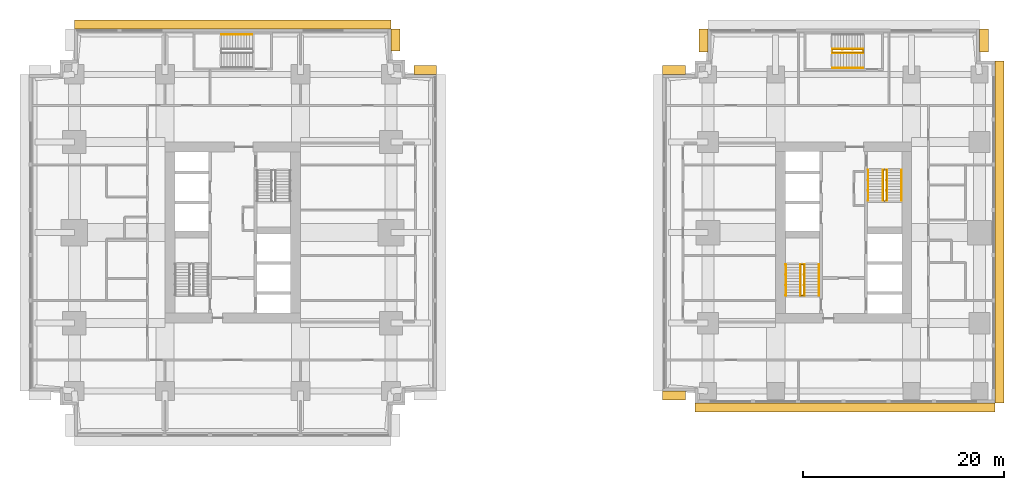
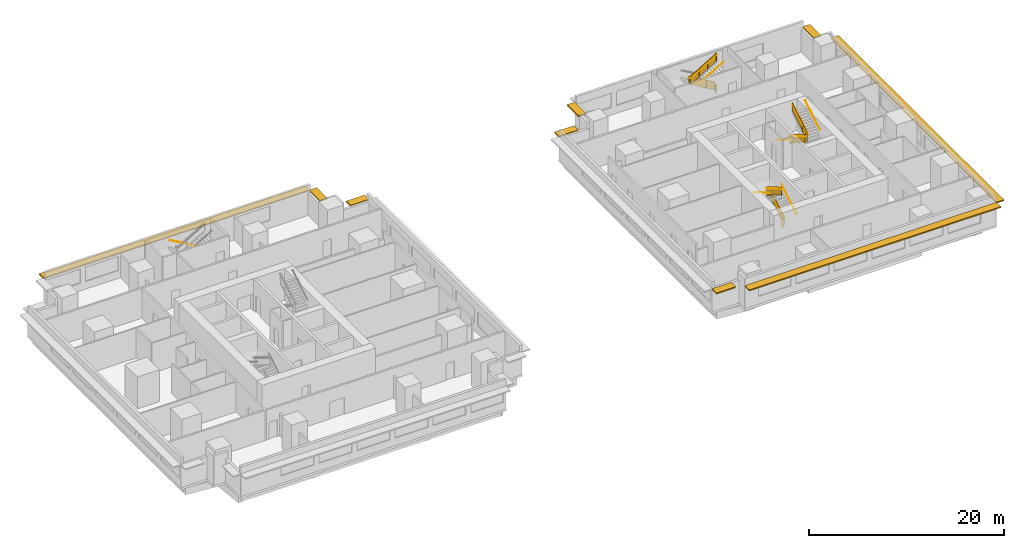
# One storey, part 10 of 11: 15 railings, 9 shading devices.
"""IFC4 building model written with IfcOpenShell, lengths in metres."""

from ifc_helpers import new_model, si_unit, direction, frame, origin, origin_2d, place, context, subcontext, project, spatial, polyline, rectangle, circle, outline, extrude, material, layer, layer_set, type_object, element, save


model = new_model("IFC4")

# Units and contexts
model_context = context("Model", 3, precision=1e-05, world=origin(), true_north=direction((0.0, 1.0)))
body_context = subcontext(model_context, "Body", "Model", "MODEL_VIEW")
ifc_project = project(units=[si_unit("LENGTHUNIT", "METRE"), si_unit("AREAUNIT", "SQUARE_METRE"), si_unit("VOLUMEUNIT", "CUBIC_METRE"), si_unit("PLANEANGLEUNIT", "RADIAN"), si_unit("MASSUNIT", "GRAM", prefix="KILO")], contexts=[model_context])

# Site, building, storey
site_placement = place(None, origin())
site = spatial("IfcSite", under=ifc_project, at=site_placement, CompositionType="ELEMENT")
building_placement = place(site_placement, origin())
building = spatial("IfcBuilding", under=site, at=building_placement, Name="Namib Vertical Campus", CompositionType="ELEMENT")
storey_placement = place(building_placement, frame((0.0, 0.0, 93.0)))
storey = spatial("IfcBuildingStorey", under=building, at=storey_placement, Name="L21", CompositionType="ELEMENT", Elevation=93.0)

# Railings
ifc_material_1 = material(Name="Steel handrail", Category="steel")
railing_type_1 = type_object("IfcRailingType", Name="Handrail 900", PredefinedType="HANDRAIL", material=ifc_material_1)
railing_1_placement = place(storey_placement, frame((78.550048828125, 14.0, 0.166748046875)))
element("IfcRailing", 1, at=railing_1_placement, inside=storey, type_object=railing_type_1, Name="Handrail HR1 B-S1 L21 1", PredefinedType="HANDRAIL", context=body_context, shape_type="SweptSolid", body=[
    extrude(circle(Radius=0.02392578125, at=origin_2d()), frame((0.0, 0.0, 0.8759765625), z_axis=(0.0, 0.859308565015, 0.511457515432), x_axis=(-1.0, 0.0, 0.0)), (0.0, 0.0, 1.0), 3.58447265625),
    extrude(circle(Radius=0.008056640625, at=origin_2d()), frame((0.0, 0.0, 0.8759765625), z_axis=(1.0, 0.0, 0.0), x_axis=(0.0, 0.0, 1.0)), (0.0, 0.0, 1.0), 0.050048828125),
    extrude(circle(Radius=0.008056640625, at=origin_2d()), frame((0.0, 1.026611328125, 1.48681640625), z_axis=(1.0, 0.0, 0.0), x_axis=(0.0, 0.0, 1.0)), (0.0, 0.0, 1.0), 0.050048828125),
    extrude(circle(Radius=0.008056640625, at=origin_2d()), frame((0.0, 2.053466796875, 2.09814453125), z_axis=(1.0, 0.0, 0.0), x_axis=(0.0, 0.0, 1.0)), (0.0, 0.0, 1.0), 0.050048828125),
    extrude(circle(Radius=0.008056640625, at=origin_2d()), frame((0.0, 3.080078125, 2.708984375), z_axis=(1.0, 0.0, 0.0), x_axis=(0.0, 0.0, 1.0)), (0.0, 0.0, 1.0), 0.050048828125),
])
railing_2_placement = place(storey_placement, frame((75.25, 17.080078125, 2.166748046875)))
element("IfcRailing", 2, at=railing_2_placement, inside=storey, type_object=railing_type_1, Name="Handrail HR1 B-S1 L21 2", PredefinedType="HANDRAIL", context=body_context, shape_type="SweptSolid", body=[
    extrude(circle(Radius=0.02392578125, at=origin_2d()), frame((0.0, 0.0, 0.8759765625), z_axis=(0.0, -0.859308565015, 0.511457515432), x_axis=(1.0, 0.0, 0.0)), (0.0, 0.0, 1.0), 3.58447265625),
    extrude(circle(Radius=0.008056640625, at=origin_2d()), frame((0.0, 0.0, 0.8759765625), z_axis=(-1.0, 0.0, 0.0), x_axis=(0.0, 0.0, 1.0)), (0.0, 0.0, 1.0), 0.050048828125),
    extrude(circle(Radius=0.008056640625, at=origin_2d()), frame((0.0, -1.026611328125, 1.48681640625), z_axis=(-1.0, 0.0, 0.0), x_axis=(0.0, 0.0, 1.0)), (0.0, 0.0, 1.0), 0.050048828125),
    extrude(circle(Radius=0.008056640625, at=origin_2d()), frame((0.0, -2.053466796875, 2.09814453125), z_axis=(-1.0, 0.0, 0.0), x_axis=(0.0, 0.0, 1.0)), (0.0, 0.0, 1.0), 0.050048828125),
    extrude(circle(Radius=0.008056640625, at=origin_2d()), frame((0.0, -3.080078125, 2.708984375), z_axis=(-1.0, 0.0, 0.0), x_axis=(0.0, 0.0, 1.0)), (0.0, 0.0, 1.0), 0.050048828125),
])
railing_3_placement = place(storey_placement, frame((77.10009765625, 14.0, 0.166748046875)))
element("IfcRailing", 3, at=railing_3_placement, inside=storey, type_object=railing_type_1, Name="Handrail HR1 B-S1 L21 1 at the well", PredefinedType="HANDRAIL", context=body_context, shape_type="SweptSolid", body=[
    extrude(circle(Radius=0.02392578125, at=origin_2d()), frame((0.0, 0.0, 0.8759765625), z_axis=(0.0, 0.859308565015, 0.511457515432), x_axis=(-1.0, 0.0, 0.0)), (0.0, 0.0, 1.0), 3.58447265625),
    extrude(circle(Radius=0.008056640625, at=origin_2d()), frame((0.0, 0.0, 0.8759765625), z_axis=(-1.0, 0.0, 0.0), x_axis=(0.0, 0.0, 1.0)), (0.0, 0.0, 1.0), 0.0400390625),
    extrude(circle(Radius=0.008056640625, at=origin_2d()), frame((0.0, 1.026611328125, 1.48681640625), z_axis=(-1.0, 0.0, 0.0), x_axis=(0.0, 0.0, 1.0)), (0.0, 0.0, 1.0), 0.0400390625),
    extrude(circle(Radius=0.008056640625, at=origin_2d()), frame((0.0, 2.053466796875, 2.09814453125), z_axis=(-1.0, 0.0, 0.0), x_axis=(0.0, 0.0, 1.0)), (0.0, 0.0, 1.0), 0.0400390625),
    extrude(circle(Radius=0.008056640625, at=origin_2d()), frame((0.0, 3.080078125, 2.708984375), z_axis=(-1.0, 0.0, 0.0), x_axis=(0.0, 0.0, 1.0)), (0.0, 0.0, 1.0), 0.0400390625),
])
railing_4_placement = place(storey_placement, frame((76.699951171875, 17.080078125, 2.166748046875)))
element("IfcRailing", 4, at=railing_4_placement, inside=storey, type_object=railing_type_1, Name="Handrail HR1 B-S1 L21 2 at the well", PredefinedType="HANDRAIL", context=body_context, shape_type="SweptSolid", body=[
    extrude(circle(Radius=0.02392578125, at=origin_2d()), frame((0.0, 0.0, 0.8759765625), z_axis=(0.0, -0.859308565015, 0.511457515432), x_axis=(1.0, 0.0, 0.0)), (0.0, 0.0, 1.0), 3.58447265625),
    extrude(circle(Radius=0.008056640625, at=origin_2d()), frame((0.0, 0.0, 0.8759765625), z_axis=(1.0, 0.0, 0.0), x_axis=(0.0, 0.0, 1.0)), (0.0, 0.0, 1.0), 0.0400390625),
    extrude(circle(Radius=0.008056640625, at=origin_2d()), frame((0.0, -1.026611328125, 1.48681640625), z_axis=(1.0, 0.0, 0.0), x_axis=(0.0, 0.0, 1.0)), (0.0, 0.0, 1.0), 0.0400390625),
    extrude(circle(Radius=0.008056640625, at=origin_2d()), frame((0.0, -2.053466796875, 2.09814453125), z_axis=(1.0, 0.0, 0.0), x_axis=(0.0, 0.0, 1.0)), (0.0, 0.0, 1.0), 0.0400390625),
    extrude(circle(Radius=0.008056640625, at=origin_2d()), frame((0.0, -3.080078125, 2.708984375), z_axis=(1.0, 0.0, 0.0), x_axis=(0.0, 0.0, 1.0)), (0.0, 0.0, 1.0), 0.0400390625),
])
railing_5_placement = place(storey_placement, frame((83.449951171875, 26.5, 0.166748046875)))
element("IfcRailing", 5, at=railing_5_placement, inside=storey, type_object=railing_type_1, Name="Handrail HR1 B-S2 L21 1", PredefinedType="HANDRAIL", context=body_context, shape_type="SweptSolid", body=[
    extrude(circle(Radius=0.02392578125, at=origin_2d()), frame((0.0, 0.0, 0.8759765625), z_axis=(0.0, -0.859308565015, 0.511457515432), x_axis=(1.0, 0.0, 0.0)), (0.0, 0.0, 1.0), 3.58447265625),
    extrude(circle(Radius=0.008056640625, at=origin_2d()), frame((0.0, 0.0, 0.8759765625), z_axis=(-1.0, 0.0, 0.0), x_axis=(0.0, 0.0, 1.0)), (0.0, 0.0, 1.0), 0.050048828125),
    extrude(circle(Radius=0.008056640625, at=origin_2d()), frame((0.0, -1.026611328125, 1.48681640625), z_axis=(-1.0, 0.0, 0.0), x_axis=(0.0, 0.0, 1.0)), (0.0, 0.0, 1.0), 0.050048828125),
    extrude(circle(Radius=0.008056640625, at=origin_2d()), frame((0.0, -2.053466796875, 2.09814453125), z_axis=(-1.0, 0.0, 0.0), x_axis=(0.0, 0.0, 1.0)), (0.0, 0.0, 1.0), 0.050048828125),
    extrude(circle(Radius=0.008056640625, at=origin_2d()), frame((0.0, -3.080078125, 2.708984375), z_axis=(-1.0, 0.0, 0.0), x_axis=(0.0, 0.0, 1.0)), (0.0, 0.0, 1.0), 0.050048828125),
])
railing_6_placement = place(storey_placement, frame((86.75, 23.419921875, 2.166748046875)))
element("IfcRailing", 6, at=railing_6_placement, inside=storey, type_object=railing_type_1, Name="Handrail HR1 B-S2 L21 2", PredefinedType="HANDRAIL", context=body_context, shape_type="SweptSolid", body=[
    extrude(circle(Radius=0.02392578125, at=origin_2d()), frame((0.0, 0.0, 0.8759765625), z_axis=(0.0, 0.859308565015, 0.511457515432), x_axis=(-1.0, 0.0, 0.0)), (0.0, 0.0, 1.0), 3.58447265625),
    extrude(circle(Radius=0.008056640625, at=origin_2d()), frame((0.0, 0.0, 0.8759765625), z_axis=(1.0, 0.0, 0.0), x_axis=(0.0, 0.0, 1.0)), (0.0, 0.0, 1.0), 0.050048828125),
    extrude(circle(Radius=0.008056640625, at=origin_2d()), frame((0.0, 1.026611328125, 1.48681640625), z_axis=(1.0, 0.0, 0.0), x_axis=(0.0, 0.0, 1.0)), (0.0, 0.0, 1.0), 0.050048828125),
    extrude(circle(Radius=0.008056640625, at=origin_2d()), frame((0.0, 2.053466796875, 2.09814453125), z_axis=(1.0, 0.0, 0.0), x_axis=(0.0, 0.0, 1.0)), (0.0, 0.0, 1.0), 0.050048828125),
    extrude(circle(Radius=0.008056640625, at=origin_2d()), frame((0.0, 3.080078125, 2.708984375), z_axis=(1.0, 0.0, 0.0), x_axis=(0.0, 0.0, 1.0)), (0.0, 0.0, 1.0), 0.050048828125),
])
railing_7_placement = place(storey_placement, frame((84.89990234375, 26.5, 0.166748046875)))
element("IfcRailing", 7, at=railing_7_placement, inside=storey, type_object=railing_type_1, Name="Handrail HR1 B-S2 L21 1 at the well", PredefinedType="HANDRAIL", context=body_context, shape_type="SweptSolid", body=[
    extrude(circle(Radius=0.02392578125, at=origin_2d()), frame((0.0, 0.0, 0.8759765625), z_axis=(0.0, -0.859308565015, 0.511457515432), x_axis=(1.0, 0.0, 0.0)), (0.0, 0.0, 1.0), 3.58447265625),
    extrude(circle(Radius=0.008056640625, at=origin_2d()), frame((0.0, 0.0, 0.8759765625), z_axis=(1.0, 0.0, 0.0), x_axis=(0.0, 0.0, 1.0)), (0.0, 0.0, 1.0), 0.0400390625),
    extrude(circle(Radius=0.008056640625, at=origin_2d()), frame((0.0, -1.026611328125, 1.48681640625), z_axis=(1.0, 0.0, 0.0), x_axis=(0.0, 0.0, 1.0)), (0.0, 0.0, 1.0), 0.0400390625),
    extrude(circle(Radius=0.008056640625, at=origin_2d()), frame((0.0, -2.053466796875, 2.09814453125), z_axis=(1.0, 0.0, 0.0), x_axis=(0.0, 0.0, 1.0)), (0.0, 0.0, 1.0), 0.0400390625),
    extrude(circle(Radius=0.008056640625, at=origin_2d()), frame((0.0, -3.080078125, 2.708984375), z_axis=(1.0, 0.0, 0.0), x_axis=(0.0, 0.0, 1.0)), (0.0, 0.0, 1.0), 0.0400390625),
])
railing_8_placement = place(storey_placement, frame((85.300048828125, 23.419921875, 2.166748046875)))
element("IfcRailing", 8, at=railing_8_placement, inside=storey, type_object=railing_type_1, Name="Handrail HR1 B-S2 L21 2 at the well", PredefinedType="HANDRAIL", context=body_context, shape_type="SweptSolid", body=[
    extrude(circle(Radius=0.02392578125, at=origin_2d()), frame((0.0, 0.0, 0.8759765625), z_axis=(0.0, 0.859308565015, 0.511457515432), x_axis=(-1.0, 0.0, 0.0)), (0.0, 0.0, 1.0), 3.58447265625),
    extrude(circle(Radius=0.008056640625, at=origin_2d()), frame((0.0, 0.0, 0.8759765625), z_axis=(-1.0, 0.0, 0.0), x_axis=(0.0, 0.0, 1.0)), (0.0, 0.0, 1.0), 0.0400390625),
    extrude(circle(Radius=0.008056640625, at=origin_2d()), frame((0.0, 1.026611328125, 1.48681640625), z_axis=(-1.0, 0.0, 0.0), x_axis=(0.0, 0.0, 1.0)), (0.0, 0.0, 1.0), 0.0400390625),
    extrude(circle(Radius=0.008056640625, at=origin_2d()), frame((0.0, 2.053466796875, 2.09814453125), z_axis=(-1.0, 0.0, 0.0), x_axis=(0.0, 0.0, 1.0)), (0.0, 0.0, 1.0), 0.0400390625),
    extrude(circle(Radius=0.008056640625, at=origin_2d()), frame((0.0, 3.080078125, 2.708984375), z_axis=(-1.0, 0.0, 0.0), x_axis=(0.0, 0.0, 1.0)), (0.0, 0.0, 1.0), 0.0400390625),
])
railing_9_placement = place(storey_placement, frame((22.199951171875, 39.949951171875, 0.166748046875)))
element("IfcRailing", 9, at=railing_9_placement, inside=storey, type_object=railing_type_1, Name="Handrail HR1 A-S3 L21 1", PredefinedType="HANDRAIL", context=body_context, shape_type="SweptSolid", body=[
    extrude(circle(Radius=0.02392578125, at=origin_2d()), frame((0.0, 0.0, 0.8759765625), z_axis=(-0.859290745958, 0.0, 0.51148745235), x_axis=(0.0, -1.0, 0.0)), (0.0, 0.0, 1.0), 3.584228515625),
    extrude(circle(Radius=0.008056640625, at=origin_2d()), frame((0.0, 0.0, 0.8759765625), z_axis=(0.0, 1.0, 0.0), x_axis=(0.0, 0.0, 1.0)), (0.0, 0.0, 1.0), 0.050048828125),
    extrude(circle(Radius=0.008056640625, at=origin_2d()), frame((-1.026611328125, 0.0, 1.48681640625), z_axis=(0.0, 1.0, 0.0), x_axis=(0.0, 0.0, 1.0)), (0.0, 0.0, 1.0), 0.050048828125),
    extrude(circle(Radius=0.008056640625, at=origin_2d()), frame((-2.05322265625, 0.0, 2.09814453125), z_axis=(0.0, 1.0, 0.0), x_axis=(0.0, 0.0, 1.0)), (0.0, 0.0, 1.0), 0.050048828125),
    extrude(circle(Radius=0.008056640625, at=origin_2d()), frame((-3.079833984375, 0.0, 2.708984375), z_axis=(0.0, 1.0, 0.0), x_axis=(0.0, 0.0, 1.0)), (0.0, 0.0, 1.0), 0.050048828125),
])
railing_10_placement = place(storey_placement, frame((79.8701171875, 36.64990234375, 2.166748046875)))
element("IfcRailing", 10, at=railing_10_placement, inside=storey, type_object=railing_type_1, Name="Handrail HR1 B-S3 L21 2", PredefinedType="HANDRAIL", context=body_context, shape_type="SweptSolid", body=[
    extrude(circle(Radius=0.02392578125, at=origin_2d()), frame((0.0, 0.0, 0.8759765625), z_axis=(0.859290745958, 0.0, 0.51148745235), x_axis=(0.0, 1.0, 0.0)), (0.0, 0.0, 1.0), 3.584228515625),
    extrude(circle(Radius=0.008056640625, at=origin_2d()), frame((0.0, 0.0, 0.8759765625), z_axis=(0.0, -1.0, 0.0), x_axis=(0.0, 0.0, 1.0)), (0.0, 0.0, 1.0), 0.050048828125),
    extrude(circle(Radius=0.008056640625, at=origin_2d()), frame((1.026611328125, 0.0, 1.48681640625), z_axis=(0.0, -1.0, 0.0), x_axis=(0.0, 0.0, 1.0)), (0.0, 0.0, 1.0), 0.050048828125),
    extrude(circle(Radius=0.008056640625, at=origin_2d()), frame((2.05322265625, 0.0, 2.09814453125), z_axis=(0.0, -1.0, 0.0), x_axis=(0.0, 0.0, 1.0)), (0.0, 0.0, 1.0), 0.050048828125),
    extrude(circle(Radius=0.008056640625, at=origin_2d()), frame((3.079833984375, 0.0, 2.708984375), z_axis=(0.0, -1.0, 0.0), x_axis=(0.0, 0.0, 1.0)), (0.0, 0.0, 1.0), 0.050048828125),
])
railing_11_placement = place(storey_placement, frame((82.949951171875, 38.5, 0.166748046875)))
element("IfcRailing", 11, at=railing_11_placement, inside=storey, type_object=railing_type_1, Name="Handrail HR1 B-S3 L21 1 at the well", PredefinedType="HANDRAIL", context=body_context, shape_type="SweptSolid", body=[
    extrude(circle(Radius=0.02392578125, at=origin_2d()), frame((0.0, 0.0, 0.8759765625), z_axis=(-0.859290745958, 0.0, 0.51148745235), x_axis=(0.0, -1.0, 0.0)), (0.0, 0.0, 1.0), 3.584228515625),
    extrude(circle(Radius=0.008056640625, at=origin_2d()), frame((0.0, 0.0, 0.8759765625), z_axis=(0.0, -1.0, 0.0), x_axis=(0.0, 0.0, 1.0)), (0.0, 0.0, 1.0), 0.0400390625),
    extrude(circle(Radius=0.008056640625, at=origin_2d()), frame((-1.026611328125, 0.0, 1.48681640625), z_axis=(0.0, -1.0, 0.0), x_axis=(0.0, 0.0, 1.0)), (0.0, 0.0, 1.0), 0.0400390625),
    extrude(circle(Radius=0.008056640625, at=origin_2d()), frame((-2.05322265625, 0.0, 2.09814453125), z_axis=(0.0, -1.0, 0.0), x_axis=(0.0, 0.0, 1.0)), (0.0, 0.0, 1.0), 0.0400390625),
    extrude(circle(Radius=0.008056640625, at=origin_2d()), frame((-3.079833984375, 0.0, 2.708984375), z_axis=(0.0, -1.0, 0.0), x_axis=(0.0, 0.0, 1.0)), (0.0, 0.0, 1.0), 0.0400390625),
])
railing_12_placement = place(storey_placement, frame((79.8701171875, 38.10009765625, 2.166748046875)))
element("IfcRailing", 12, at=railing_12_placement, inside=storey, type_object=railing_type_1, Name="Handrail HR1 B-S3 L21 2 at the well", PredefinedType="HANDRAIL", context=body_context, shape_type="SweptSolid", body=[
    extrude(circle(Radius=0.02392578125, at=origin_2d()), frame((0.0, 0.0, 0.8759765625), z_axis=(0.859290745958, 0.0, 0.51148745235), x_axis=(0.0, 1.0, 0.0)), (0.0, 0.0, 1.0), 3.584228515625),
    extrude(circle(Radius=0.008056640625, at=origin_2d()), frame((0.0, 0.0, 0.8759765625), z_axis=(0.0, 1.0, 0.0), x_axis=(0.0, 0.0, 1.0)), (0.0, 0.0, 1.0), 0.0400390625),
    extrude(circle(Radius=0.008056640625, at=origin_2d()), frame((1.026611328125, 0.0, 1.48681640625), z_axis=(0.0, 1.0, 0.0), x_axis=(0.0, 0.0, 1.0)), (0.0, 0.0, 1.0), 0.0400390625),
    extrude(circle(Radius=0.008056640625, at=origin_2d()), frame((2.05322265625, 0.0, 2.09814453125), z_axis=(0.0, 1.0, 0.0), x_axis=(0.0, 0.0, 1.0)), (0.0, 0.0, 1.0), 0.0400390625),
    extrude(circle(Radius=0.008056640625, at=origin_2d()), frame((3.079833984375, 0.0, 2.708984375), z_axis=(0.0, 1.0, 0.0), x_axis=(0.0, 0.0, 1.0)), (0.0, 0.0, 1.0), 0.0400390625),
])
ifc_material_2 = material(Name="Steel balustrade", Category="steel")
railing_type_2 = type_object("IfcRailingType", Name="Stair guard 1100", PredefinedType="GUARDRAIL", material=ifc_material_2)
railing_13_placement = place(storey_placement, frame((76.75, 14.0, 0.0)))
element("IfcRailing", 13, at=railing_13_placement, inside=storey, type_object=railing_type_2, Name="Stair guard GR1 B-S1 L21", PredefinedType="GUARDRAIL", context=body_context, shape_type="SweptSolid", body=[
    extrude(circle(Radius=0.02392578125, at=origin_2d()), frame((0.0, 0.0, 1.076171875), z_axis=(1.0, 0.0, 0.0), x_axis=(0.0, 1.0, 0.0)), (0.0, 0.0, 1.0), 0.300048828125),
    extrude(outline(polyline([(0.02099609375, 0.050048828125), (0.279052734375, 0.050048828125), (0.279052734375, 1.052001953125), (0.02099609375, 1.052001953125), (0.02099609375, 0.050048828125)])), frame((0.0, 0.010009765625, 0.0), z_axis=(0.0, -1.0, 0.0), x_axis=(1.0, 0.0, 0.0)), (0.0, 0.0, 1.0), 0.02001953125),
    extrude(circle(Radius=0.02392578125, at=origin_2d()), frame((0.300048828125, 0.0, 1.076171875), z_axis=(0.0, 0.0, 1.0), x_axis=(1.0, 0.0, 0.0)), (0.0, 0.0, 1.0), 0.166748046875),
    extrude(circle(Radius=0.02392578125, at=origin_2d()), frame((0.300048828125, 0.0, 1.24267578125), z_axis=(0.0, 0.859308565015, 0.511457515432), x_axis=(-1.0, 0.0, 0.0)), (0.0, 0.0, 1.0), 3.58447265625),
    extrude(outline(polyline([(0.02099609375, 0.0625), (3.05908203125, 1.870849609375), (3.05908203125, 2.872802734375), (0.02099609375, 1.064453125), (0.02099609375, 0.0625)])), frame((0.2900390625, 0.0, 0.166748046875), z_axis=(1.0, 0.0, 0.0), x_axis=(0.0, 1.0, 0.0)), (0.0, 0.0, 1.0), 0.02001953125),
    extrude(circle(Radius=0.02392578125, at=origin_2d()), frame((0.300048828125, 3.080078125, 3.076171875), z_axis=(-1.0, 0.0, 0.0), x_axis=(0.0, -1.0, 0.0)), (0.0, 0.0, 1.0), 0.300048828125),
    extrude(outline(polyline([(0.02099609375, 0.050048828125), (0.279052734375, 0.050048828125), (0.279052734375, 1.052001953125), (0.02099609375, 1.052001953125), (0.02099609375, 0.050048828125)])), frame((0.300048828125, 3.070068359375, 2.0), z_axis=(0.0, 1.0, 0.0), x_axis=(-1.0, 0.0, 0.0)), (0.0, 0.0, 1.0), 0.02001953125),
    extrude(circle(Radius=0.02392578125, at=origin_2d()), frame((0.0, 3.080078125, 3.076171875), z_axis=(0.0, 0.0, 1.0), x_axis=(1.0, 0.0, 0.0)), (0.0, 0.0, 1.0), 0.166748046875),
    extrude(circle(Radius=0.02392578125, at=origin_2d()), frame((0.0, 3.080078125, 3.24267578125), z_axis=(0.0, -0.859308565015, 0.511457515432), x_axis=(1.0, 0.0, 0.0)), (0.0, 0.0, 1.0), 3.58447265625),
    extrude(outline(polyline([(0.02099609375, 0.0625), (3.05908203125, 1.870849609375), (3.05908203125, 2.872802734375), (0.02099609375, 1.064453125), (0.02099609375, 0.0625)])), frame((0.010009765625, 3.080078125, 2.166748046875), z_axis=(-1.0, 0.0, 0.0), x_axis=(0.0, -1.0, 0.0)), (0.0, 0.0, 1.0), 0.02001953125),
    extrude(circle(Radius=0.02392578125, at=origin_2d()), frame((0.0, 0.0, 5.076171875), z_axis=(0.0, -1.0, 0.0), x_axis=(1.0, 0.0, 0.0)), (0.0, 0.0, 1.0), 0.050048828125),
    extrude(outline(polyline([(0.02099609375, 0.050048828125), (0.029052734375, 0.050048828125), (0.029052734375, 1.052001953125), (0.02099609375, 1.052001953125), (0.02099609375, 0.050048828125)])), frame((0.010009765625, 0.0, 4.0), z_axis=(-1.0, 0.0, 0.0), x_axis=(0.0, -1.0, 0.0)), (0.0, 0.0, 1.0), 0.02001953125),
    extrude(circle(Radius=0.02099609375, at=origin_2d()), origin(), (0.0, 0.0, 1.0), 1.052001953125),
    extrude(circle(Radius=0.02099609375, at=origin_2d()), frame((0.300048828125, 0.0, 0.166748046875)), (0.0, 0.0, 1.0), 1.052001953125),
    extrude(circle(Radius=0.02099609375, at=origin_2d()), frame((0.300048828125, 1.026611328125, 0.666748046875)), (0.0, 0.0, 1.0), 1.1630859375),
    extrude(circle(Radius=0.02099609375, at=origin_2d()), frame((0.300048828125, 2.053466796875, 1.33349609375)), (0.0, 0.0, 1.0), 1.107421875),
    extrude(circle(Radius=0.02099609375, at=origin_2d()), frame((0.300048828125, 3.080078125, 2.0)), (0.0, 0.0, 1.0), 1.052001953125),
    extrude(circle(Radius=0.02099609375, at=origin_2d()), frame((0.0, 3.080078125, 2.166748046875)), (0.0, 0.0, 1.0), 1.052001953125),
    extrude(circle(Radius=0.02099609375, at=origin_2d()), frame((0.0, 2.053466796875, 2.666748046875)), (0.0, 0.0, 1.0), 1.1630859375),
    extrude(circle(Radius=0.02099609375, at=origin_2d()), frame((0.0, 1.026611328125, 3.33349609375)), (0.0, 0.0, 1.0), 1.107421875),
    extrude(circle(Radius=0.02099609375, at=origin_2d()), frame((0.0, 0.0, 4.0)), (0.0, 0.0, 1.0), 1.052001953125),
    extrude(circle(Radius=0.02099609375, at=origin_2d()), frame((0.0, -0.050048828125, 4.0)), (0.0, 0.0, 1.0), 1.052001953125),
])
railing_14_placement = place(storey_placement, frame((85.25, 26.5, 0.0)))
element("IfcRailing", 14, at=railing_14_placement, inside=storey, type_object=railing_type_2, Name="Stair guard GR1 B-S2 L21", PredefinedType="GUARDRAIL", context=body_context, shape_type="SweptSolid", body=[
    extrude(circle(Radius=0.02392578125, at=origin_2d()), frame((0.0, 0.0, 1.076171875), z_axis=(-1.0, 0.0, 0.0), x_axis=(0.0, -1.0, 0.0)), (0.0, 0.0, 1.0), 0.300048828125),
    extrude(outline(polyline([(0.02099609375, 0.050048828125), (0.279052734375, 0.050048828125), (0.279052734375, 1.052001953125), (0.02099609375, 1.052001953125), (0.02099609375, 0.050048828125)])), frame((0.0, -0.010009765625, 0.0), z_axis=(0.0, 1.0, 0.0), x_axis=(-1.0, 0.0, 0.0)), (0.0, 0.0, 1.0), 0.02001953125),
    extrude(circle(Radius=0.02392578125, at=origin_2d()), frame((-0.300048828125, 0.0, 1.076171875), z_axis=(0.0, 0.0, 1.0), x_axis=(1.0, 0.0, 0.0)), (0.0, 0.0, 1.0), 0.166748046875),
    extrude(circle(Radius=0.02392578125, at=origin_2d()), frame((-0.300048828125, 0.0, 1.24267578125), z_axis=(0.0, -0.859308565015, 0.511457515432), x_axis=(1.0, 0.0, 0.0)), (0.0, 0.0, 1.0), 3.58447265625),
    extrude(outline(polyline([(0.02099609375, 0.0625), (3.05908203125, 1.870849609375), (3.05908203125, 2.872802734375), (0.02099609375, 1.064453125), (0.02099609375, 0.0625)])), frame((-0.2900390625, 0.0, 0.166748046875), z_axis=(-1.0, 0.0, 0.0), x_axis=(0.0, -1.0, 0.0)), (0.0, 0.0, 1.0), 0.02001953125),
    extrude(circle(Radius=0.02392578125, at=origin_2d()), frame((-0.300048828125, -3.080078125, 3.076171875), z_axis=(1.0, 0.0, 0.0), x_axis=(0.0, 1.0, 0.0)), (0.0, 0.0, 1.0), 0.300048828125),
    extrude(outline(polyline([(0.02099609375, 0.050048828125), (0.279052734375, 0.050048828125), (0.279052734375, 1.052001953125), (0.02099609375, 1.052001953125), (0.02099609375, 0.050048828125)])), frame((-0.300048828125, -3.070068359375, 2.0), z_axis=(0.0, -1.0, 0.0), x_axis=(1.0, 0.0, 0.0)), (0.0, 0.0, 1.0), 0.02001953125),
    extrude(circle(Radius=0.02392578125, at=origin_2d()), frame((0.0, -3.080078125, 3.076171875), z_axis=(0.0, 0.0, 1.0), x_axis=(1.0, 0.0, 0.0)), (0.0, 0.0, 1.0), 0.166748046875),
    extrude(circle(Radius=0.02392578125, at=origin_2d()), frame((0.0, -3.080078125, 3.24267578125), z_axis=(0.0, 0.859308565015, 0.511457515432), x_axis=(-1.0, 0.0, 0.0)), (0.0, 0.0, 1.0), 3.58447265625),
    extrude(outline(polyline([(0.02099609375, 0.0625), (3.05908203125, 1.870849609375), (3.05908203125, 2.872802734375), (0.02099609375, 1.064453125), (0.02099609375, 0.0625)])), frame((-0.010009765625, -3.080078125, 2.166748046875), z_axis=(1.0, 0.0, 0.0), x_axis=(0.0, 1.0, 0.0)), (0.0, 0.0, 1.0), 0.02001953125),
    extrude(circle(Radius=0.02392578125, at=origin_2d()), frame((0.0, 0.0, 5.076171875), z_axis=(0.0, 1.0, 0.0), x_axis=(-1.0, 0.0, 0.0)), (0.0, 0.0, 1.0), 0.050048828125),
    extrude(outline(polyline([(0.02099609375, 0.050048828125), (0.029052734375, 0.050048828125), (0.029052734375, 1.052001953125), (0.02099609375, 1.052001953125), (0.02099609375, 0.050048828125)])), frame((-0.010009765625, 0.0, 4.0), z_axis=(1.0, 0.0, 0.0), x_axis=(0.0, 1.0, 0.0)), (0.0, 0.0, 1.0), 0.02001953125),
    extrude(circle(Radius=0.02099609375, at=origin_2d()), origin(), (0.0, 0.0, 1.0), 1.052001953125),
    extrude(circle(Radius=0.02099609375, at=origin_2d()), frame((-0.300048828125, 0.0, 0.166748046875)), (0.0, 0.0, 1.0), 1.052001953125),
    extrude(circle(Radius=0.02099609375, at=origin_2d()), frame((-0.300048828125, -1.026611328125, 0.666748046875)), (0.0, 0.0, 1.0), 1.1630859375),
    extrude(circle(Radius=0.02099609375, at=origin_2d()), frame((-0.300048828125, -2.053466796875, 1.33349609375)), (0.0, 0.0, 1.0), 1.107421875),
    extrude(circle(Radius=0.02099609375, at=origin_2d()), frame((-0.300048828125, -3.080078125, 2.0)), (0.0, 0.0, 1.0), 1.052001953125),
    extrude(circle(Radius=0.02099609375, at=origin_2d()), frame((0.0, -3.080078125, 2.166748046875)), (0.0, 0.0, 1.0), 1.052001953125),
    extrude(circle(Radius=0.02099609375, at=origin_2d()), frame((0.0, -2.053466796875, 2.666748046875)), (0.0, 0.0, 1.0), 1.1630859375),
    extrude(circle(Radius=0.02099609375, at=origin_2d()), frame((0.0, -1.026611328125, 3.33349609375)), (0.0, 0.0, 1.0), 1.107421875),
    extrude(circle(Radius=0.02099609375, at=origin_2d()), frame((0.0, 0.0, 4.0)), (0.0, 0.0, 1.0), 1.052001953125),
    extrude(circle(Radius=0.02099609375, at=origin_2d()), frame((0.0, 0.050048828125, 4.0)), (0.0, 0.0, 1.0), 1.052001953125),
])
railing_15_placement = place(storey_placement, frame((82.949951171875, 38.14990234375, 0.0)))
element("IfcRailing", 15, at=railing_15_placement, inside=storey, type_object=railing_type_2, Name="Stair guard GR1 B-S3 L21", PredefinedType="GUARDRAIL", context=body_context, shape_type="SweptSolid", body=[
    extrude(circle(Radius=0.02392578125, at=origin_2d()), frame((0.0, 0.0, 1.076171875), z_axis=(0.0, 1.0, 0.0), x_axis=(-1.0, 0.0, 0.0)), (0.0, 0.0, 1.0), 0.300048828125),
    extrude(outline(polyline([(0.02099609375, 0.050048828125), (0.279052734375, 0.050048828125), (0.279052734375, 1.052001953125), (0.02099609375, 1.052001953125), (0.02099609375, 0.050048828125)])), frame((-0.010009765625, 0.0, 0.0), z_axis=(1.0, 0.0, 0.0), x_axis=(0.0, 1.0, 0.0)), (0.0, 0.0, 1.0), 0.02001953125),
    extrude(circle(Radius=0.02392578125, at=origin_2d()), frame((0.0, 0.300048828125, 1.076171875), z_axis=(0.0, 0.0, 1.0), x_axis=(1.0, 0.0, 0.0)), (0.0, 0.0, 1.0), 0.166748046875),
    extrude(circle(Radius=0.02392578125, at=origin_2d()), frame((0.0, 0.300048828125, 1.24267578125), z_axis=(-0.859290745958, 0.0, 0.51148745235), x_axis=(0.0, -1.0, 0.0)), (0.0, 0.0, 1.0), 3.584228515625),
    extrude(outline(polyline([(0.02099609375, 0.0625), (3.058837890625, 1.870849609375), (3.058837890625, 2.872802734375), (0.02099609375, 1.064453125), (0.02099609375, 0.0625)])), frame((0.0, 0.2900390625, 0.166748046875), z_axis=(0.0, 1.0, 0.0), x_axis=(-1.0, 0.0, 0.0)), (0.0, 0.0, 1.0), 0.02001953125),
    extrude(circle(Radius=0.02392578125, at=origin_2d()), frame((-3.079833984375, 0.300048828125, 3.076171875), z_axis=(0.0, -1.0, 0.0), x_axis=(1.0, 0.0, 0.0)), (0.0, 0.0, 1.0), 0.300048828125),
    extrude(outline(polyline([(0.02099609375, 0.050048828125), (0.279052734375, 0.050048828125), (0.279052734375, 1.052001953125), (0.02099609375, 1.052001953125), (0.02099609375, 0.050048828125)])), frame((-3.06982421875, 0.300048828125, 2.0), z_axis=(-1.0, 0.0, 0.0), x_axis=(0.0, -1.0, 0.0)), (0.0, 0.0, 1.0), 0.02001953125),
    extrude(circle(Radius=0.02392578125, at=origin_2d()), frame((-3.079833984375, 0.0, 3.076171875), z_axis=(0.0, 0.0, 1.0), x_axis=(1.0, 0.0, 0.0)), (0.0, 0.0, 1.0), 0.166748046875),
    extrude(circle(Radius=0.02392578125, at=origin_2d()), frame((-3.079833984375, 0.0, 3.24267578125), z_axis=(0.859290745958, 0.0, 0.51148745235), x_axis=(0.0, 1.0, 0.0)), (0.0, 0.0, 1.0), 3.584228515625),
    extrude(outline(polyline([(0.02099609375, 0.0625), (3.058837890625, 1.870849609375), (3.058837890625, 2.872802734375), (0.02099609375, 1.064453125), (0.02099609375, 0.0625)])), frame((-3.079833984375, 0.010009765625, 2.166748046875), z_axis=(0.0, -1.0, 0.0), x_axis=(1.0, 0.0, 0.0)), (0.0, 0.0, 1.0), 0.02001953125),
    extrude(circle(Radius=0.02392578125, at=origin_2d()), frame((0.0, 0.0, 5.076171875), z_axis=(1.0, 0.0, 0.0), x_axis=(0.0, 1.0, 0.0)), (0.0, 0.0, 1.0), 0.050048828125),
    extrude(outline(polyline([(0.02099609375, 0.050048828125), (0.029052734375, 0.050048828125), (0.029052734375, 1.052001953125), (0.02099609375, 1.052001953125), (0.02099609375, 0.050048828125)])), frame((0.0, 0.010009765625, 4.0), z_axis=(0.0, -1.0, 0.0), x_axis=(1.0, 0.0, 0.0)), (0.0, 0.0, 1.0), 0.02001953125),
    extrude(circle(Radius=0.02099609375, at=origin_2d()), origin(), (0.0, 0.0, 1.0), 1.052001953125),
    extrude(circle(Radius=0.02099609375, at=origin_2d()), frame((0.0, 0.300048828125, 0.166748046875)), (0.0, 0.0, 1.0), 1.052001953125),
    extrude(circle(Radius=0.02099609375, at=origin_2d()), frame((-1.026611328125, 0.300048828125, 0.666748046875)), (0.0, 0.0, 1.0), 1.1630859375),
    extrude(circle(Radius=0.02099609375, at=origin_2d()), frame((-2.05322265625, 0.300048828125, 1.33349609375)), (0.0, 0.0, 1.0), 1.107421875),
    extrude(circle(Radius=0.02099609375, at=origin_2d()), frame((-3.079833984375, 0.300048828125, 2.0)), (0.0, 0.0, 1.0), 1.052001953125),
    extrude(circle(Radius=0.02099609375, at=origin_2d()), frame((-3.079833984375, 0.0, 2.166748046875)), (0.0, 0.0, 1.0), 1.052001953125),
    extrude(circle(Radius=0.02099609375, at=origin_2d()), frame((-2.05322265625, 0.0, 2.666748046875)), (0.0, 0.0, 1.0), 1.1630859375),
    extrude(circle(Radius=0.02099609375, at=origin_2d()), frame((-1.026611328125, 0.0, 3.33349609375)), (0.0, 0.0, 1.0), 1.107421875),
    extrude(circle(Radius=0.02099609375, at=origin_2d()), frame((0.0, 0.0, 4.0)), (0.0, 0.0, 1.0), 1.052001953125),
    extrude(circle(Radius=0.02099609375, at=origin_2d()), frame((0.050048828125, 0.0, 4.0)), (0.0, 0.0, 1.0), 1.052001953125),
])

# Shading devices
ifc_material_3 = material(Name="Concrete C40/50 precast", Category="concrete")
ifc_layer = layer(ifc_material_3, 0.14990234375)
ifc_layer_set = layer_set([ifc_layer], Name="Concrete C40/50 precast")
shading_device_type = type_object("IfcShadingDeviceType", Name="Sunshade hood 900", PredefinedType="SHUTTER", material=ifc_layer_set)
for number, where, z_axis, x_axis, name in (
    (16, (39.39990234375, 36.449951171875, 2.75), (0.0, 0.0, 1.0), (-1.0, 0.0, 0.0), "Sunshade SH1 L21 7"),
    (17, (36.449951171875, 39.39990234375, 2.75), (0.0, 0.0, 1.0), (0.0, 1.0, 0.0), "Sunshade SH1 L21 10"),
):
    element("IfcShadingDevice", number, at=place(storey_placement, frame(where, z_axis=z_axis, x_axis=x_axis)), inside=storey, type_object=shading_device_type, Name=name, PredefinedType="SHUTTER", context=body_context, shape_type="SweptSolid", body=[
        extrude(rectangle(XDim=2.199951171875, YDim=0.89990234375, at=origin_2d()), origin(), (0.0, 0.0, 1.0), 0.14990234375),
    ])
shading_device_1_placement = place(storey_placement, frame((20.25, 40.949951171875, 2.75), z_axis=(0.0, 0.0, 1.0), x_axis=(-1.0, 0.0, 0.0)))
element("IfcShadingDevice", 18, at=shading_device_1_placement, inside=storey, type_object=shading_device_type, Name="Sunshade SH1 L21 11", PredefinedType="SHUTTER", context=body_context, shape_type="SweptSolid", body=[
    extrude(rectangle(XDim=31.5, YDim=0.89990234375, at=origin_2d()), origin(), (0.0, 0.0, 1.0), 0.14990234375),
])
shading_device_2_placement = place(storey_placement, frame((64.14990234375, 4.050048828125, 2.75), z_axis=(0.0, 0.0, 1.0), x_axis=(1.0, 0.0, 0.0)))
element("IfcShadingDevice", 19, at=shading_device_2_placement, inside=storey, type_object=shading_device_type, Name="Sunshade SH1 L21 1", PredefinedType="SHUTTER", context=body_context, shape_type="SweptSolid", body=[
    extrude(rectangle(XDim=2.300048828125, YDim=0.89990234375, at=origin_2d()), origin(), (0.0, 0.0, 1.0), 0.14990234375),
])
shading_device_3_placement = place(storey_placement, frame((81.125, 2.85009765625, 2.75), z_axis=(0.0, 0.0, 1.0), x_axis=(1.0, 0.0, 0.0)))
element("IfcShadingDevice", 20, at=shading_device_3_placement, inside=storey, type_object=shading_device_type, Name="Sunshade SH1 L21 3", PredefinedType="SHUTTER", context=body_context, shape_type="SweptSolid", body=[
    extrude(rectangle(XDim=29.85009765625, YDim=0.89990234375, at=origin_2d()), origin(), (0.0, 0.0, 1.0), 0.14990234375),
])
shading_device_4_placement = place(storey_placement, frame((96.5, 20.300048828125, 2.75), z_axis=(0.0, 0.0, 1.0), x_axis=(0.0, 1.0, 0.0)))
element("IfcShadingDevice", 21, at=shading_device_4_placement, inside=storey, type_object=shading_device_type, Name="Sunshade SH1 L21 4", PredefinedType="SHUTTER", context=body_context, shape_type="SweptSolid", body=[
    extrude(rectangle(XDim=34.0, YDim=0.89990234375, at=origin_2d()), origin(), (0.0, 0.0, 1.0), 0.14990234375),
])
for number, where, z_axis, x_axis, name in (
    (22, (94.949951171875, 39.35009765625, 2.75), (0.0, 0.0, 1.0), (0.0, 1.0, 0.0), "Sunshade SH1 L21 6"),
    (23, (67.050048828125, 39.35009765625, 2.75), (0.0, 0.0, 1.0), (0.0, -1.0, 0.0), "Sunshade SH1 L21 8"),
    (24, (64.14990234375, 36.449951171875, 2.75), (0.0, 0.0, 1.0), (-1.0, 0.0, 0.0), "Sunshade SH1 L21 11"),
):
    element("IfcShadingDevice", number, at=place(storey_placement, frame(where, z_axis=z_axis, x_axis=x_axis)), inside=storey, type_object=shading_device_type, Name=name, PredefinedType="SHUTTER", context=body_context, shape_type="SweptSolid", body=[
        extrude(rectangle(XDim=2.300048828125, YDim=0.89990234375, at=origin_2d()), origin(), (0.0, 0.0, 1.0), 0.14990234375),
    ])

save(model, "model.ifc")
